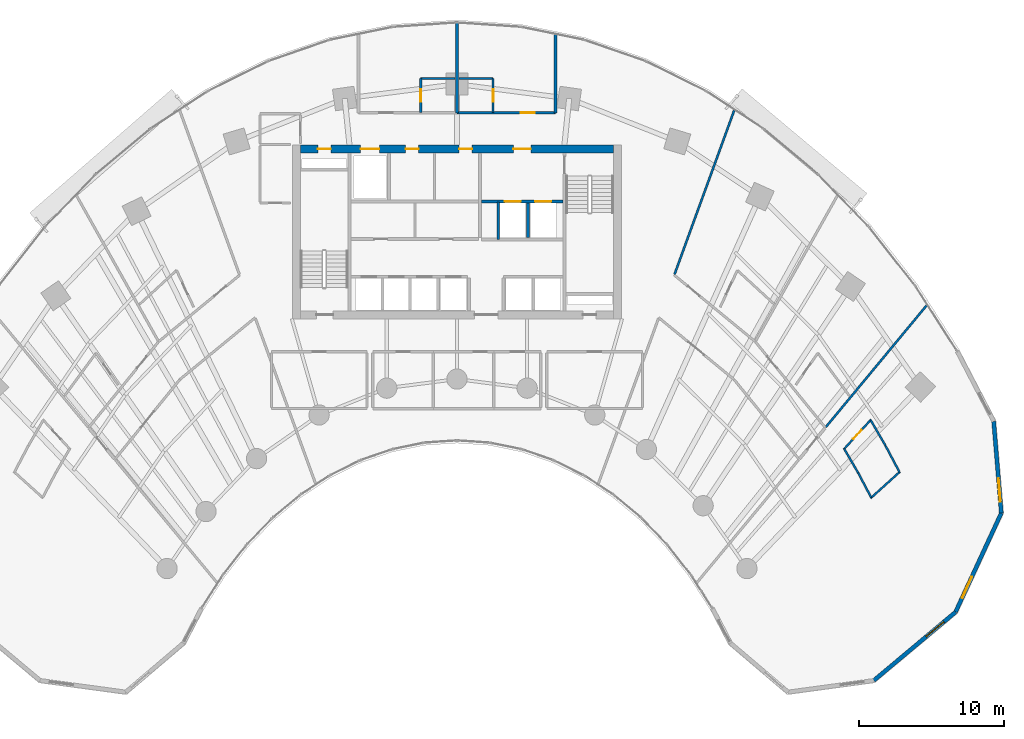
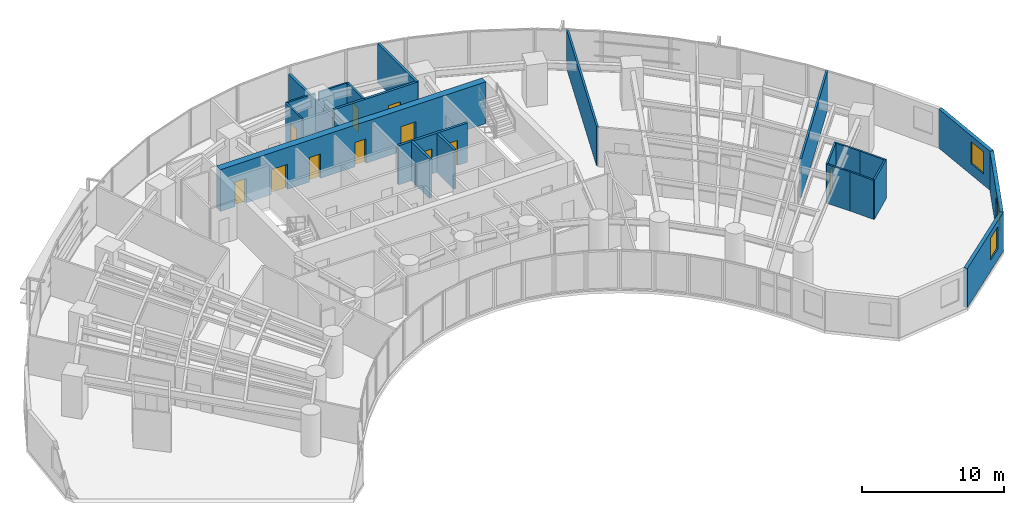
# One storey, part 14 of 17: 22 walls, 11 doors, 3 windows, 14 openings.
"""IFC4 building model written with IfcOpenShell, lengths in metres."""

from ifc_helpers import new_model, si_unit, direction, frame, frame_2d, origin, place, context, subcontext, project, spatial, rectangle, extrude, source, transform, mapped, material, layer, layer_set, type_object, type_shapes, element, fill, save


model = new_model("IFC4")

# Units and contexts
model_context = context("Model", 3, precision=1e-05, world=origin(), true_north=direction((0.0, 1.0)))
body_context = subcontext(model_context, "Body", "Model", "MODEL_VIEW")
ifc_project = project(units=[si_unit("LENGTHUNIT", "METRE"), si_unit("AREAUNIT", "SQUARE_METRE"), si_unit("VOLUMEUNIT", "CUBIC_METRE"), si_unit("PLANEANGLEUNIT", "RADIAN"), si_unit("MASSUNIT", "GRAM", prefix="KILO")], contexts=[model_context])

# Site, building, storey
site_placement = place(None, origin())
site = spatial("IfcSite", under=ifc_project, at=site_placement, CompositionType="ELEMENT")
building_placement = place(site_placement, origin())
building = spatial("IfcBuilding", under=site, at=building_placement, Name="Breltana Convention Tower", CompositionType="ELEMENT")
storey_placement = place(building_placement, frame((0.0, 0.0, 46.199951171875)))
storey = spatial("IfcBuildingStorey", under=building, at=storey_placement, Name="L09", CompositionType="ELEMENT", Elevation=46.199951171875)

# Wall, openings, doors
ifc_material_1 = material(Name="Concrete C60/75", Category="concrete")
ifc_layer_1 = layer(ifc_material_1, 0.550048828125, Name="Concrete C60/75")
ifc_layer_set_1 = layer_set([ifc_layer_1], Name="Concrete C60/75")
wall_type_1 = type_object("IfcWallType", Name="SW-CORE-550", PredefinedType="SHEAR", material=ifc_layer_set_1)
shared_shape_1 = source(origin(), body_context, "Body", "SweptSolid", [
    extrude(rectangle(XDim=21.60009765625, YDim=0.550048828125, at=frame_2d((10.800048828125, 0.0))), origin(), (0.0, 0.0, 1.0), 3.60009765625),
])
wall_1_placement = place(storey_placement, frame((37.199951171875, 71.925048828125, 0.0), z_axis=(0.0, 0.0, 1.0), x_axis=(1.0, 0.0, 0.0)))
wall_1 = element("IfcWall", 1, at=wall_1_placement, inside=storey, type_object=wall_type_1, Name="L09 North Core Shear Wall", PredefinedType="SHEAR", context=body_context, shape_type="MappedRepresentation", body=[
    mapped(shared_shape_1, transform((0.0, 0.0, 0.0), scale=1.0)),
])
opening_1_placement = place(wall_1_placement, frame((1.199951171875, 0.0, 0.0)))
opening_1 = element("IfcOpeningElement", 2, at=opening_1_placement, cuts=wall_1, Name="Opening D-18", PredefinedType="OPENING", context=body_context, shape_type="SweptSolid", body=[
    extrude(rectangle(XDim=0.89990234375, YDim=2.10009765625, at=frame_2d((0.449951171875, 1.050048828125))), frame((0.0, 0.28515625, 0.0), z_axis=(0.0, -1.0, 0.0), x_axis=(1.0, 0.0, 0.0)), (0.0, 0.0, 1.0), 0.570068359375),
])
opening_2_placement = place(wall_1_placement, frame((14.699951171875, 0.0, 0.0)))
opening_2 = element("IfcOpeningElement", 3, at=opening_2_placement, cuts=wall_1, Name="Opening D-09", PredefinedType="OPENING", context=body_context, shape_type="SweptSolid", body=[
    extrude(rectangle(XDim=1.199951171875, YDim=2.14990234375, at=frame_2d((0.60009765625, 1.074951171875))), frame((0.0, 0.28515625, 0.0), z_axis=(0.0, -1.0, 0.0), x_axis=(1.0, 0.0, 0.0)), (0.0, 0.0, 1.0), 0.570068359375),
])
opening_3_placement = place(wall_1_placement, frame((4.14990234375, 0.0, 0.0)))
opening_3 = element("IfcOpeningElement", 4, at=opening_3_placement, cuts=wall_1, Name="Opening LD-01", PredefinedType="OPENING", context=body_context, shape_type="SweptSolid", body=[
    extrude(rectangle(XDim=1.300048828125, YDim=2.14990234375, at=frame_2d((0.64990234375, 1.074951171875))), frame((0.0, 0.28515625, 0.0), z_axis=(0.0, -1.0, 0.0), x_axis=(1.0, 0.0, 0.0)), (0.0, 0.0, 1.0), 0.570068359375),
])
opening_4_placement = place(wall_1_placement, frame((7.25, 0.0, 0.0)))
opening_4 = element("IfcOpeningElement", 5, at=opening_4_placement, cuts=wall_1, Name="Opening D-18", PredefinedType="OPENING", context=body_context, shape_type="SweptSolid", body=[
    extrude(rectangle(XDim=0.89990234375, YDim=2.10009765625, at=frame_2d((0.449951171875, 1.050048828125))), frame((0.0, 0.28515625, 0.0), z_axis=(0.0, -1.0, 0.0), x_axis=(1.0, 0.0, 0.0)), (0.0, 0.0, 1.0), 0.570068359375),
])
opening_5_placement = place(wall_1_placement, frame((10.949951171875, 0.0, 0.0)))
opening_5 = element("IfcOpeningElement", 6, at=opening_5_placement, cuts=wall_1, Name="Opening D-18", PredefinedType="OPENING", context=body_context, shape_type="SweptSolid", body=[
    extrude(rectangle(XDim=0.89990234375, YDim=2.10009765625, at=frame_2d((0.449951171875, 1.050048828125))), frame((0.0, 0.28515625, 0.0), z_axis=(0.0, -1.0, 0.0), x_axis=(1.0, 0.0, 0.0)), (0.0, 0.0, 1.0), 0.570068359375),
])
ifc_material_2 = material(Name="Steel Riser Fire Door", Category="steel")
door_type_1 = type_object("IfcDoorType", Name="DR-FD60-900", OperationType="NOTDEFINED", PredefinedType="DOOR", material=ifc_material_2)
shared_shape_2 = source(origin(), body_context, "Body", "SweptSolid", [
    extrude(rectangle(XDim=0.89990234375, YDim=2.10009765625, at=frame_2d((0.449951171875, 1.050048828125))), frame((0.0, 0.02490234375, 0.0), z_axis=(0.0, -1.0, 0.0), x_axis=(1.0, 0.0, 0.0)), (0.0, 0.0, 1.0), 0.050048828125),
])
type_shapes(door_type_1, [shared_shape_2])
door_1_placement = place(opening_1_placement, origin())
door_1 = element("IfcDoor", 7, at=door_1_placement, inside=storey, type_object=door_type_1, Name="L09 Core Riser Access Door D-L09-RS1", OperationType="SINGLE_SWING_LEFT", OverallHeight=2.10009765625, OverallWidth=0.89990234375, PredefinedType="DOOR", context=body_context, shape_type="MappedRepresentation", body=[
    mapped(shared_shape_2, transform((0.0, 0.0, 0.0), scale=1.0)),
])
fill(opening_1, door_1)
door_2_placement = place(opening_4_placement, origin())
door_2 = element("IfcDoor", 8, at=door_2_placement, inside=storey, type_object=door_type_1, Name="L09 interior door D-L09-CRA1", OperationType="SINGLE_SWING_LEFT", OverallHeight=2.10009765625, OverallWidth=0.89990234375, PredefinedType="DOOR", context=body_context, shape_type="MappedRepresentation", body=[
    mapped(shared_shape_2, transform((0.0, 0.0, 0.0), scale=1.0)),
])
fill(opening_4, door_2)
door_3_placement = place(opening_5_placement, origin())
door_3 = element("IfcDoor", 9, at=door_3_placement, inside=storey, type_object=door_type_1, Name="L09 interior door D-L09-CRA2", OperationType="SINGLE_SWING_RIGHT", OverallHeight=2.10009765625, OverallWidth=0.89990234375, PredefinedType="DOOR", context=body_context, shape_type="MappedRepresentation", body=[
    mapped(shared_shape_2, transform((0.0, 0.0, 0.0), scale=1.0)),
])
fill(opening_5, door_3)
ifc_material_3 = material(Name="Steel Fire Lobby Door", Category="steel")
door_type_2 = type_object("IfcDoorType", Name="DR-FD120-1200", OperationType="NOTDEFINED", PredefinedType="DOOR", material=ifc_material_3)
shared_shape_3 = source(origin(), body_context, "Body", "SweptSolid", [
    extrude(rectangle(XDim=1.199951171875, YDim=2.14990234375, at=frame_2d((0.60009765625, 1.074951171875))), frame((0.0, 0.02490234375, 0.0), z_axis=(0.0, -1.0, 0.0), x_axis=(1.0, 0.0, 0.0)), (0.0, 0.0, 1.0), 0.050048828125),
])
type_shapes(door_type_2, [shared_shape_3])
door_4_placement = place(opening_2_placement, origin())
door_4 = element("IfcDoor", 10, at=door_4_placement, inside=storey, type_object=door_type_2, Name="L09 interior door D-L09-FFL-N", OperationType="SINGLE_SWING_RIGHT", OverallHeight=2.14990234375, OverallWidth=1.199951171875, PredefinedType="DOOR", context=body_context, shape_type="MappedRepresentation", body=[
    mapped(shared_shape_3, transform((0.0, 0.0, 0.0), scale=1.0)),
])
fill(opening_2, door_4)
ifc_material_4 = material(Name="Stainless Steel Brushed", Category="steel")
door_type_3 = type_object("IfcDoorType", Name="DR-LD-SRV-1300", OperationType="DOUBLE_DOOR_SLIDING", PredefinedType="DOOR", material=ifc_material_4)
shared_shape_4 = source(origin(), body_context, "Body", "SweptSolid", [
    extrude(rectangle(XDim=1.300048828125, YDim=2.14990234375, at=frame_2d((0.64990234375, 1.074951171875))), frame((0.0, 0.02490234375, 0.0), z_axis=(0.0, -1.0, 0.0), x_axis=(1.0, 0.0, 0.0)), (0.0, 0.0, 1.0), 0.050048828125),
])
type_shapes(door_type_3, [shared_shape_4])
door_5_placement = place(opening_3_placement, origin())
door_5 = element("IfcDoor", 11, at=door_5_placement, inside=storey, type_object=door_type_3, Name="L09 Lift Landing Door D-L09-LD-SV1", OperationType="DOUBLE_DOOR_SLIDING", OverallHeight=2.14990234375, OverallWidth=1.300048828125, PredefinedType="DOOR", context=body_context, shape_type="MappedRepresentation", body=[
    mapped(shared_shape_4, transform((0.0, 0.0, 0.0), scale=1.0)),
])
fill(opening_3, door_5)

# Wall, opening, window
ifc_material_5 = material(Name="Limestone Buff Insulated Wall", Category="masonry")
ifc_layer_2 = layer(ifc_material_5, 0.280029296875, Name="Limestone Buff Insulated Wall")
ifc_layer_set_2 = layer_set([ifc_layer_2], Name="Limestone Buff Insulated Wall")
wall_type_2 = type_object("IfcWallType", Name="WL-EXT-NOSE-280", PredefinedType="SOLIDWALL", material=ifc_layer_set_2)
shared_shape_5 = source(origin(), body_context, "Body", "SweptSolid", [
    extrude(rectangle(XDim=6.3525390625, YDim=0.280029296875, at=frame_2d((3.17626953125, 0.0))), origin(), (0.0, 0.0, 1.0), 3.360107421875),
])
wall_2_placement = place(storey_placement, frame((85.052978515625, 53.1220703125, 0.0), z_axis=(0.0, 0.0, 1.0), x_axis=(0.083319001377, -0.996522926986, 0.0)))
wall_2 = element("IfcWall", 12, at=wall_2_placement, inside=storey, type_object=wall_type_2, Name="L09 curved limestone nose wall E1", PredefinedType="SOLIDWALL", context=body_context, shape_type="MappedRepresentation", body=[
    mapped(shared_shape_5, transform((0.0, 0.0, 0.0), scale=1.0)),
])
opening_6_placement = place(wall_2_placement, frame((3.96435546875, 0.0, 0.949951171875)))
opening_6 = element("IfcOpeningElement", 13, at=opening_6_placement, cuts=wall_2, Name="Opening W-04", PredefinedType="OPENING", context=body_context, shape_type="SweptSolid", body=[
    extrude(rectangle(XDim=1.60009765625, YDim=1.89990234375, at=frame_2d((0.800048828125, 0.949951171875))), frame((0.0, 0.14990234375, 0.0), z_axis=(0.0, -1.0, 0.0), x_axis=(1.0, 0.0, 0.0)), (0.0, 0.0, 1.0), 0.300048828125),
])
ifc_material_6 = material(Name="Glass Low-E Insulated Window", Category="glass")
window_type = type_object("IfcWindowType", Name="WN-NOSE-1600X1900", PartitioningType="SINGLE_PANEL", PredefinedType="WINDOW", material=ifc_material_6)
shared_shape_6 = source(origin(), body_context, "Body", "SweptSolid", [
    extrude(rectangle(XDim=1.60009765625, YDim=1.89990234375, at=frame_2d((0.800048828125, 0.949951171875))), frame((0.0, 0.030029296875, 0.0), z_axis=(0.0, -1.0, 0.0), x_axis=(1.0, 0.0, 0.0)), (0.0, 0.0, 1.0), 0.06005859375),
])
type_shapes(window_type, [shared_shape_6])
window_1_placement = place(opening_6_placement, origin())
window_1 = element("IfcWindow", 14, at=window_1_placement, inside=storey, type_object=window_type, Name="L09 nose window E1", OverallHeight=1.89990234375, OverallWidth=1.60009765625, PartitioningType="SINGLE_PANEL", PredefinedType="WINDOW", context=body_context, shape_type="MappedRepresentation", body=[
    mapped(shared_shape_6, transform((0.0, 0.0, 0.0), scale=1.0)),
])
fill(opening_6, window_1)

shared_shape_7 = source(origin(), body_context, "Body", "SweptSolid", [
    extrude(rectangle(XDim=7.536376953125, YDim=0.280029296875, at=frame_2d((3.76806640625, 0.0))), origin(), (0.0, 0.0, 1.0), 3.360107421875),
])
wall_3_placement = place(storey_placement, frame((85.582275390625, 46.79150390625, 0.0), z_axis=(0.0, 0.0, 1.0), x_axis=(-0.41964973873, -0.907686122393, 0.0)))
wall_3 = element("IfcWall", 15, at=wall_3_placement, inside=storey, type_object=wall_type_2, Name="L09 curved limestone nose wall E2", PredefinedType="SOLIDWALL", context=body_context, shape_type="MappedRepresentation", body=[
    mapped(shared_shape_7, transform((0.0, 0.0, 0.0), scale=1.0)),
])
opening_7_placement = place(wall_3_placement, frame((4.852294921875, 0.0, 0.949951171875)))
opening_7 = element("IfcOpeningElement", 16, at=opening_7_placement, cuts=wall_3, Name="Opening W-04", PredefinedType="OPENING", context=body_context, shape_type="SweptSolid", body=[
    extrude(rectangle(XDim=1.60009765625, YDim=1.89990234375, at=frame_2d((0.800048828125, 0.949951171875))), frame((0.0, 0.14990234375, 0.0), z_axis=(0.0, -1.0, 0.0), x_axis=(1.0, 0.0, 0.0)), (0.0, 0.0, 1.0), 0.300048828125),
])
window_2_placement = place(opening_7_placement, origin())
window_2 = element("IfcWindow", 17, at=window_2_placement, inside=storey, type_object=window_type, Name="L09 nose window E2", OverallHeight=1.89990234375, OverallWidth=1.60009765625, PartitioningType="SINGLE_PANEL", PredefinedType="WINDOW", context=body_context, shape_type="MappedRepresentation", body=[
    mapped(shared_shape_6, transform((0.0, 0.0, 0.0), scale=1.0)),
])
fill(opening_7, window_2)

shared_shape_8 = source(origin(), body_context, "Body", "SweptSolid", [
    extrude(rectangle(XDim=7.35888671875, YDim=0.280029296875, at=frame_2d((3.679443359375, 0.0))), origin(), (0.0, 0.0, 1.0), 3.360107421875),
])
wall_4_placement = place(storey_placement, frame((82.419677734375, 39.950927734375, 0.0), z_axis=(0.0, 0.0, 1.0), x_axis=(-0.766737165543, -0.641961150675, 0.0)))
wall_4 = element("IfcWall", 18, at=wall_4_placement, inside=storey, type_object=wall_type_2, Name="L09 curved limestone nose wall E3", PredefinedType="SOLIDWALL", context=body_context, shape_type="MappedRepresentation", body=[
    mapped(shared_shape_8, transform((0.0, 0.0, 0.0), scale=1.0)),
])
opening_8_placement = place(wall_4_placement, frame((1.039794921875, 0.0, 0.949951171875)))
opening_8 = element("IfcOpeningElement", 19, at=opening_8_placement, cuts=wall_4, Name="Opening W-04", PredefinedType="OPENING", context=body_context, shape_type="SweptSolid", body=[
    extrude(rectangle(XDim=1.60009765625, YDim=1.89990234375, at=frame_2d((0.800048828125, 0.949951171875))), frame((0.0, 0.14990234375, 0.0), z_axis=(0.0, -1.0, 0.0), x_axis=(1.0, 0.0, 0.0)), (0.0, 0.0, 1.0), 0.300048828125),
])
window_3_placement = place(opening_8_placement, origin())
window_3 = element("IfcWindow", 20, at=window_3_placement, inside=storey, type_object=window_type, Name="L09 nose window E3", OverallHeight=1.89990234375, OverallWidth=1.60009765625, PartitioningType="SINGLE_PANEL", PredefinedType="WINDOW", context=body_context, shape_type="MappedRepresentation", body=[
    mapped(shared_shape_6, transform((0.0, 0.0, 0.0), scale=1.0)),
])
fill(opening_8, window_3)

# Wall, openings, doors
ifc_material_7 = material(Name="Autoclaved Aerated Concrete Block", Category="concrete")
ifc_layer_3 = layer(ifc_material_7, 0.199951171875, Name="Autoclaved Aerated Concrete Block")
ifc_layer_set_3 = layer_set([ifc_layer_3], Name="Autoclaved Aerated Concrete Block")
wall_type_3 = type_object("IfcWallType", Name="WL-SHAFT-200", PredefinedType="SOLIDWALL", material=ifc_layer_set_3)
shared_shape_9 = source(origin(), body_context, "Body", "SweptSolid", [
    extrude(rectangle(XDim=5.6201171875, YDim=0.199951171875, at=frame_2d((2.81005859375, 0.0))), origin(), (0.0, 0.0, 1.0), 3.360107421875),
])
wall_5_placement = place(storey_placement, frame((49.699951171875, 68.300048828125, 0.0), z_axis=(0.0, 0.0, 1.0), x_axis=(1.0, 0.0, 0.0)))
wall_5 = element("IfcWall", 21, at=wall_5_placement, inside=storey, type_object=wall_type_3, Name="L09 interior partition W-L09-FFL-S", PredefinedType="SOLIDWALL", context=body_context, shape_type="MappedRepresentation", body=[
    mapped(shared_shape_9, transform((0.0, 0.0, 0.0), scale=1.0)),
])
opening_9_placement = place(wall_5_placement, frame((1.60009765625, 0.0, 0.0)))
opening_9 = element("IfcOpeningElement", 22, at=opening_9_placement, cuts=wall_5, Name="Opening LD-03", PredefinedType="OPENING", context=body_context, shape_type="SweptSolid", body=[
    extrude(rectangle(XDim=1.10009765625, YDim=2.14990234375, at=frame_2d((0.550048828125, 1.074951171875))), frame((0.0, 0.10986328125, 0.0), z_axis=(0.0, -1.0, 0.0), x_axis=(1.0, 0.0, 0.0)), (0.0, 0.0, 1.0), 0.219970703125),
])
opening_10_placement = place(wall_5_placement, frame((3.699951171875, 0.0, 0.0)))
opening_10 = element("IfcOpeningElement", 23, at=opening_10_placement, cuts=wall_5, Name="Opening LD-03", PredefinedType="OPENING", context=body_context, shape_type="SweptSolid", body=[
    extrude(rectangle(XDim=1.10009765625, YDim=2.14990234375, at=frame_2d((0.550048828125, 1.074951171875))), frame((0.0, 0.10986328125, 0.0), z_axis=(0.0, -1.0, 0.0), x_axis=(1.0, 0.0, 0.0)), (0.0, 0.0, 1.0), 0.219970703125),
])
door_type_4 = type_object("IfcDoorType", Name="DR-LD-FF-1100", OperationType="DOUBLE_DOOR_SLIDING", PredefinedType="DOOR", material=ifc_material_4)
shared_shape_10 = source(origin(), body_context, "Body", "SweptSolid", [
    extrude(rectangle(XDim=1.10009765625, YDim=2.14990234375, at=frame_2d((0.550048828125, 1.074951171875))), frame((0.0, 0.02490234375, 0.0), z_axis=(0.0, -1.0, 0.0), x_axis=(1.0, 0.0, 0.0)), (0.0, 0.0, 1.0), 0.050048828125),
])
type_shapes(door_type_4, [shared_shape_10])
door_6_placement = place(opening_9_placement, origin())
door_6 = element("IfcDoor", 24, at=door_6_placement, inside=storey, type_object=door_type_4, Name="L09 Lift Landing Door D-L09-LD-FL1", OperationType="DOUBLE_DOOR_SLIDING", OverallHeight=2.14990234375, OverallWidth=1.10009765625, PredefinedType="DOOR", context=body_context, shape_type="MappedRepresentation", body=[
    mapped(shared_shape_10, transform((0.0, 0.0, 0.0), scale=1.0)),
])
fill(opening_9, door_6)
door_7_placement = place(opening_10_placement, origin())
door_7 = element("IfcDoor", 25, at=door_7_placement, inside=storey, type_object=door_type_4, Name="L09 Lift Landing Door D-L09-LD-FL2", OperationType="DOUBLE_DOOR_SLIDING", OverallHeight=2.14990234375, OverallWidth=1.10009765625, PredefinedType="DOOR", context=body_context, shape_type="MappedRepresentation", body=[
    mapped(shared_shape_10, transform((0.0, 0.0, 0.0), scale=1.0)),
])
fill(opening_10, door_7)

# Walls
shared_shape_11 = source(origin(), body_context, "Body", "SweptSolid", [
    extrude(rectangle(XDim=2.580078125, YDim=0.199951171875, at=frame_2d((1.2900390625, 0.0))), origin(), (0.0, 0.0, 1.0), 3.360107421875),
])
wall_6_placement = place(storey_placement, frame((50.85009765625, 65.679931640625, 0.0), z_axis=(0.0, 0.0, 1.0), x_axis=(0.0, 1.0, 0.0)))
element("IfcWall", 26, at=wall_6_placement, inside=storey, type_object=wall_type_3, Name="L09 interior partition W-L09-FL-W", PredefinedType="SOLIDWALL", context=body_context, shape_type="MappedRepresentation", body=[
    mapped(shared_shape_11, transform((0.0, 0.0, 0.0), scale=1.0)),
])
shared_shape_12 = source(origin(), body_context, "Body", "SweptSolid", [
    extrude(rectangle(XDim=2.39990234375, YDim=0.199951171875, at=frame_2d((1.199951171875, 0.0))), origin(), (0.0, 0.0, 1.0), 3.360107421875),
])
wall_7_placement = place(storey_placement, frame((52.89990234375, 65.800048828125, 0.0), z_axis=(0.0, 0.0, 1.0), x_axis=(0.0, 1.0, 0.0)))
element("IfcWall", 27, at=wall_7_placement, inside=storey, type_object=wall_type_3, Name="L09 interior partition W-L09-FL-DIV", PredefinedType="SOLIDWALL", context=body_context, shape_type="MappedRepresentation", body=[
    mapped(shared_shape_12, transform((0.0, 0.0, 0.0), scale=1.0)),
])

# Wall, opening, door
ifc_material_8 = material(Name="Gypsum Acoustic Hotel Wall")
ifc_layer_4 = layer(ifc_material_8, 0.195068359375, Name="Gypsum Acoustic Hotel Wall")
ifc_layer_set_4 = layer_set([ifc_layer_4], Name="Gypsum Acoustic Hotel Wall")
wall_type_4 = type_object("IfcWallType", Name="WL-HOTEL-200", PredefinedType="PARTITIONING", material=ifc_layer_set_4)
shared_shape_13 = source(origin(), body_context, "Body", "SweptSolid", [
    extrude(rectangle(XDim=6.800048828125, YDim=0.195068359375, at=frame_2d((3.39990234375, 0.0))), origin(), (0.0, 0.0, 1.0), 3.360107421875),
])
type_shapes(wall_type_4, [shared_shape_13])
wall_8_placement = place(storey_placement, frame((48.0, 74.419921875, 0.0), z_axis=(0.0, 0.0, 1.0), x_axis=(1.0, 0.0, 0.0)))
wall_8 = element("IfcWall", 28, at=wall_8_placement, inside=storey, type_object=wall_type_4, Name="L09 interior partition W-L09-GRN2-S", PredefinedType="PARTITIONING", context=body_context, shape_type="MappedRepresentation", body=[
    mapped(shared_shape_13, transform((0.0, 0.0, 0.0), scale=1.0)),
])
opening_11_placement = place(wall_8_placement, frame((4.4208984375, 0.0, 0.0)))
opening_11 = element("IfcOpeningElement", 29, at=opening_11_placement, cuts=wall_8, Name="Opening D-14", PredefinedType="OPENING", context=body_context, shape_type="SweptSolid", body=[
    extrude(rectangle(XDim=0.949951171875, YDim=2.14990234375, at=frame_2d((0.47509765625, 1.074951171875))), frame((0.0, 0.107421875, 0.0), z_axis=(0.0, -1.0, 0.0), x_axis=(1.0, 0.0, 0.0)), (0.0, 0.0, 1.0), 0.215087890625),
])
ifc_material_9 = material(Name="Timber Solid-Core Fire Door", Category="wood")
door_type_5 = type_object("IfcDoorType", Name="DR-FD60-950", OperationType="NOTDEFINED", PredefinedType="DOOR", material=ifc_material_9)
shared_shape_14 = source(origin(), body_context, "Body", "SweptSolid", [
    extrude(rectangle(XDim=0.949951171875, YDim=2.14990234375, at=frame_2d((0.47509765625, 1.074951171875))), frame((0.0, 0.02490234375, 0.0), z_axis=(0.0, -1.0, 0.0), x_axis=(1.0, 0.0, 0.0)), (0.0, 0.0, 1.0), 0.050048828125),
])
type_shapes(door_type_5, [shared_shape_14])
door_8_placement = place(opening_11_placement, origin())
door_8 = element("IfcDoor", 30, at=door_8_placement, inside=storey, type_object=door_type_5, Name="L09 interior door D-L09-GRN2", OperationType="SINGLE_SWING_RIGHT", OverallHeight=2.14990234375, OverallWidth=0.949951171875, PredefinedType="DOOR", context=body_context, shape_type="MappedRepresentation", body=[
    mapped(shared_shape_14, transform((0.0, 0.0, 0.0), scale=1.0)),
])
fill(opening_11, door_8)

# Walls
shared_shape_15 = source(origin(), body_context, "Body", "SweptSolid", [
    extrude(rectangle(XDim=6.215576171875, YDim=0.195068359375, at=frame_2d((3.10791015625, 0.0))), origin(), (0.0, 0.0, 1.0), 2.64404296875),
])
wall_9_placement = place(storey_placement, frame((48.0, 74.419921875, 0.0), z_axis=(0.0, 0.0, 1.0), x_axis=(0.0, 1.0, 0.0)))
element("IfcWall", 31, at=wall_9_placement, inside=storey, type_object=wall_type_4, Name="L09 interior partition W-L09-GRN-MID", PredefinedType="PARTITIONING", context=body_context, shape_type="MappedRepresentation", body=[
    mapped(shared_shape_15, transform((0.0, 0.0, 0.0), scale=1.0)),
])
shared_shape_16 = source(origin(), body_context, "Body", "SweptSolid", [
    extrude(rectangle(XDim=5.42626953125, YDim=0.195068359375, at=frame_2d((2.713134765625, 0.0))), origin(), (0.0, 0.0, 1.0), 3.360107421875),
])
wall_10_placement = place(storey_placement, frame((54.800048828125, 74.419921875, 0.0), z_axis=(0.0, 0.0, 1.0), x_axis=(0.0, 1.0, 0.0)))
element("IfcWall", 32, at=wall_10_placement, inside=storey, type_object=wall_type_4, Name="L09 interior partition W-L09-GRN2-SD", PredefinedType="PARTITIONING", context=body_context, shape_type="MappedRepresentation", body=[
    mapped(shared_shape_16, transform((0.0, 0.0, 0.0), scale=1.0)),
])
ifc_material_10 = material(Name="Moisture-Resistant En-Suite Partition")
ifc_layer_5 = layer(ifc_material_10, 0.139892578125, Name="Moisture-Resistant En-Suite Partition")
ifc_layer_set_5 = layer_set([ifc_layer_5], Name="Moisture-Resistant En-Suite Partition")
wall_type_5 = type_object("IfcWallType", Name="WL-WET-150", PredefinedType="PARTITIONING", material=ifc_layer_set_5)
shared_shape_17 = source(origin(), body_context, "Body", "SweptSolid", [
    extrude(rectangle(XDim=2.35009765625, YDim=0.139892578125, at=frame_2d((1.175048828125, 0.0))), origin(), (0.0, 0.0, 1.0), 3.360107421875),
])
type_shapes(wall_type_5, [shared_shape_17])
for number, where, z_axis, x_axis, name in (
    (33, (45.5, 76.780029296875, 0.0), (0.0, 0.0, 1.0), (1.0, 0.0, 0.0), "L09 interior partition W-L09-ENSN1-N"),
    (34, (48.14990234375, 76.780029296875, 0.0), (0.0, 0.0, 1.0), (1.0, 0.0, 0.0), "L09 interior partition W-L09-ENSN2-N"),
):
    element("IfcWall", number, at=place(storey_placement, frame(where, z_axis=z_axis, x_axis=x_axis)), inside=storey, type_object=wall_type_5, Name=name, PredefinedType="PARTITIONING", context=body_context, shape_type="MappedRepresentation", body=[
        mapped(shared_shape_17, transform((0.0, 0.0, 0.0), scale=1.0)),
    ])

# Wall, opening, door
shared_shape_18 = source(origin(), body_context, "Body", "SweptSolid", [
    extrude(rectangle(XDim=2.330078125, YDim=0.139892578125, at=frame_2d((1.1650390625, 0.0))), origin(), (0.0, 0.0, 1.0), 3.360107421875),
])
wall_11_placement = place(storey_placement, frame((45.5, 74.449951171875, 0.0), z_axis=(0.0, 0.0, 1.0), x_axis=(0.0, 1.0, 0.0)))
wall_11 = element("IfcWall", 35, at=wall_11_placement, inside=storey, type_object=wall_type_5, Name="L09 interior partition W-L09-ENSN1-SD", PredefinedType="PARTITIONING", context=body_context, shape_type="MappedRepresentation", body=[
    mapped(shared_shape_18, transform((0.0, 0.0, 0.0), scale=1.0)),
])
opening_12_placement = place(wall_11_placement, frame((0.739990234375, 0.0, 0.0)))
opening_12 = element("IfcOpeningElement", 36, at=opening_12_placement, cuts=wall_11, Name="Opening D-21", PredefinedType="OPENING", context=body_context, shape_type="SweptSolid", body=[
    extrude(rectangle(XDim=0.85009765625, YDim=2.050048828125, at=frame_2d((0.425048828125, 1.02490234375))), frame((0.0, 0.080078125, 0.0), z_axis=(0.0, -1.0, 0.0), x_axis=(1.0, 0.0, 0.0)), (0.0, 0.0, 1.0), 0.159912109375),
])
ifc_material_11 = material(Name="Timber Moisture-Resistant En-Suite Door", Category="wood")
door_type_6 = type_object("IfcDoorType", Name="DR-WET-850", OperationType="NOTDEFINED", PredefinedType="DOOR", material=ifc_material_11)
shared_shape_19 = source(origin(), body_context, "Body", "SweptSolid", [
    extrude(rectangle(XDim=0.85009765625, YDim=2.050048828125, at=frame_2d((0.425048828125, 1.02490234375))), frame((0.0, 0.02490234375, 0.0), z_axis=(0.0, -1.0, 0.0), x_axis=(1.0, 0.0, 0.0)), (0.0, 0.0, 1.0), 0.050048828125),
])
type_shapes(door_type_6, [shared_shape_19])
door_9_placement = place(opening_12_placement, origin())
door_9 = element("IfcDoor", 37, at=door_9_placement, inside=storey, type_object=door_type_6, Name="L09 interior door D-L09-ENSN1", OperationType="SINGLE_SWING_LEFT", OverallHeight=2.050048828125, OverallWidth=0.85009765625, PredefinedType="DOOR", context=body_context, shape_type="MappedRepresentation", body=[
    mapped(shared_shape_19, transform((0.0, 0.0, 0.0), scale=1.0)),
])
fill(opening_12, door_9)

wall_12_placement = place(storey_placement, frame((50.5, 74.449951171875, 0.0), z_axis=(0.0, 0.0, 1.0), x_axis=(0.0, 1.0, 0.0)))
wall_12 = element("IfcWall", 38, at=wall_12_placement, inside=storey, type_object=wall_type_5, Name="L09 interior partition W-L09-ENSN2-SD", PredefinedType="PARTITIONING", context=body_context, shape_type="MappedRepresentation", body=[
    mapped(shared_shape_18, transform((0.0, 0.0, 0.0), scale=1.0)),
])
opening_13_placement = place(wall_12_placement, frame((0.739990234375, 0.0, 0.0)))
opening_13 = element("IfcOpeningElement", 39, at=opening_13_placement, cuts=wall_12, Name="Opening D-21", PredefinedType="OPENING", context=body_context, shape_type="SweptSolid", body=[
    extrude(rectangle(XDim=0.85009765625, YDim=2.050048828125, at=frame_2d((0.425048828125, 1.02490234375))), frame((0.0, 0.080078125, 0.0), z_axis=(0.0, -1.0, 0.0), x_axis=(1.0, 0.0, 0.0)), (0.0, 0.0, 1.0), 0.159912109375),
])
door_10_placement = place(opening_13_placement, origin())
door_10 = element("IfcDoor", 40, at=door_10_placement, inside=storey, type_object=door_type_6, Name="L09 interior door D-L09-ENSN2", OperationType="SINGLE_SWING_LEFT", OverallHeight=2.050048828125, OverallWidth=0.85009765625, PredefinedType="DOOR", context=body_context, shape_type="MappedRepresentation", body=[
    mapped(shared_shape_19, transform((0.0, 0.0, 0.0), scale=1.0)),
])
fill(opening_13, door_10)

shared_shape_20 = source(origin(), body_context, "Body", "SweptSolid", [
    extrude(rectangle(XDim=2.812255859375, YDim=0.139892578125, at=frame_2d((1.40625, 0.0))), origin(), (0.0, 0.0, 1.0), 3.360107421875),
])
wall_13_placement = place(storey_placement, frame((74.69677734375, 51.176513671875, 0.0), z_axis=(0.0, 0.0, 1.0), x_axis=(0.675119025852, 0.737708818527, 0.0)))
wall_13 = element("IfcWall", 41, at=wall_13_placement, inside=storey, type_object=wall_type_5, Name="L09 interior partition W-L09-CSENS-E-W", PredefinedType="PARTITIONING", context=body_context, shape_type="MappedRepresentation", body=[
    mapped(shared_shape_20, transform((0.0, 0.0, 0.0), scale=1.0)),
])
opening_14_placement = place(wall_13_placement, frame((0.981201171875, 0.0, 0.0)))
opening_14 = element("IfcOpeningElement", 42, at=opening_14_placement, cuts=wall_13, Name="Opening D-21", PredefinedType="OPENING", context=body_context, shape_type="SweptSolid", body=[
    extrude(rectangle(XDim=0.85009765625, YDim=2.050048828125, at=frame_2d((0.425048828125, 1.02490234375))), frame((0.0, 0.080078125, 0.0), z_axis=(0.0, -1.0, 0.0), x_axis=(1.0, 0.0, 0.0)), (0.0, 0.0, 1.0), 0.159912109375),
])
door_11_placement = place(opening_14_placement, origin())
door_11 = element("IfcDoor", 43, at=door_11_placement, inside=storey, type_object=door_type_6, Name="L09 interior door D-L09-CSENS-E", OperationType="SINGLE_SWING_LEFT", OverallHeight=2.050048828125, OverallWidth=0.85009765625, PredefinedType="DOOR", context=body_context, shape_type="MappedRepresentation", body=[
    mapped(shared_shape_19, transform((0.0, 0.0, 0.0), scale=1.0)),
])
fill(opening_14, door_11)

# Walls
shared_shape_21 = source(origin(), body_context, "Body", "SweptSolid", [
    extrude(rectangle(XDim=2.738037109375, YDim=0.139892578125, at=frame_2d((1.369140625, 0.0))), origin(), (0.0, 0.0, 1.0), 3.360107421875),
])
wall_14_placement = place(storey_placement, frame((76.560302734375, 47.81396484375, 0.0), z_axis=(0.0, 0.0, 1.0), x_axis=(0.741873676582, 0.670539669218, 0.0)))
element("IfcWall", 44, at=wall_14_placement, inside=storey, type_object=wall_type_5, Name="L09 interior partition W-L09-CSENS-E-F", PredefinedType="PARTITIONING", context=body_context, shape_type="MappedRepresentation", body=[
    mapped(shared_shape_21, transform((0.0, 0.0, 0.0), scale=1.0)),
])
shared_shape_22 = source(origin(), body_context, "Body", "SweptSolid", [
    extrude(rectangle(XDim=1.936279296875, YDim=0.139892578125, at=frame_2d((0.96826171875, 0.0))), origin(), (0.0, 0.0, 1.0), 3.360107421875),
])
wall_15_placement = place(storey_placement, frame((75.697265625, 49.5634765625, 0.0), z_axis=(0.0, 0.0, 1.0), x_axis=(0.467174971862, -0.884164886017, 0.0)))
element("IfcWall", 45, at=wall_15_placement, inside=storey, type_object=wall_type_5, Name="L09 interior partition W-L09-CSENS-E-B1B", PredefinedType="PARTITIONING", context=body_context, shape_type="MappedRepresentation", body=[
    mapped(shared_shape_22, transform((0.0, 0.0, 0.0), scale=1.0)),
])
shared_shape_23 = source(origin(), body_context, "Body", "SweptSolid", [
    extrude(rectangle(XDim=2.068115234375, YDim=0.139892578125, at=frame_2d((1.0341796875, 0.0))), origin(), (0.0, 0.0, 1.0), 3.360107421875),
])
wall_16_placement = place(storey_placement, frame((77.583740234375, 51.44091796875, 0.0), z_axis=(0.0, 0.0, 1.0), x_axis=(0.467215057643, -0.884143704333, 0.0)))
element("IfcWall", 46, at=wall_16_placement, inside=storey, type_object=wall_type_5, Name="L09 interior partition W-L09-CSENS-E-B2B", PredefinedType="PARTITIONING", context=body_context, shape_type="MappedRepresentation", body=[
    mapped(shared_shape_23, transform((0.0, 0.0, 0.0), scale=1.0)),
])
shared_shape_24 = source(origin(), body_context, "Body", "SweptSolid", [
    extrude(rectangle(XDim=1.914306640625, YDim=0.139892578125, at=frame_2d((0.95703125, 0.0))), origin(), (0.0, 0.0, 1.0), 3.360107421875),
])
wall_17_placement = place(storey_placement, frame((74.735595703125, 51.21875, 0.0), z_axis=(0.0, 0.0, 1.0), x_axis=(0.502347790612, -0.864665656347, 0.0)))
element("IfcWall", 47, at=wall_17_placement, inside=storey, type_object=wall_type_5, Name="L09 interior partition W-L09-CSENS-E-B1A", PredefinedType="PARTITIONING", context=body_context, shape_type="MappedRepresentation", body=[
    mapped(shared_shape_24, transform((0.0, 0.0, 0.0), scale=1.0)),
])
shared_shape_25 = source(origin(), body_context, "Body", "SweptSolid", [
    extrude(rectangle(XDim=2.044677734375, YDim=0.139892578125, at=frame_2d((1.0224609375, 0.0))), origin(), (0.0, 0.0, 1.0), 3.360107421875),
])
wall_18_placement = place(storey_placement, frame((76.556640625, 53.208984375, 0.0), z_axis=(0.0, 0.0, 1.0), x_axis=(0.5023112139, -0.864686905411, 0.0)))
element("IfcWall", 48, at=wall_18_placement, inside=storey, type_object=wall_type_5, Name="L09 interior partition W-L09-CSENS-E-B2A", PredefinedType="PARTITIONING", context=body_context, shape_type="MappedRepresentation", body=[
    mapped(shared_shape_25, transform((0.0, 0.0, 0.0), scale=1.0)),
])
ifc_material_12 = material(Name="Gypsum Acoustic Drywall Partition")
ifc_layer_6 = layer(ifc_material_12, 0.14990234375, Name="Gypsum Acoustic Drywall Partition")
ifc_layer_set_6 = layer_set([ifc_layer_6], Name="Gypsum Acoustic Drywall Partition")
wall_type_6 = type_object("IfcWallType", Name="WL-PART-150", PredefinedType="PARTITIONING", material=ifc_layer_set_6)
shared_shape_26 = source(origin(), body_context, "Body", "SweptSolid", [
    extrude(rectangle(XDim=10.974609375, YDim=0.14990234375, at=frame_2d((5.4873046875, 0.0))), origin(), (0.0, 0.0, 1.0), 3.360107421875),
])
wall_19_placement = place(storey_placement, frame((73.460205078125, 52.71875, 0.0), z_axis=(0.0, 0.0, 1.0), x_axis=(0.638125265812, 0.769932558821, 0.0)))
element("IfcWall", 49, at=wall_19_placement, inside=storey, type_object=wall_type_6, Name="L09 interior partition W-L09-HS04-RB", PredefinedType="PARTITIONING", context=body_context, shape_type="MappedRepresentation", body=[
    mapped(shared_shape_26, transform((0.0, 0.0, 0.0), scale=1.0)),
])
shared_shape_27 = source(origin(), body_context, "Body", "SweptSolid", [
    extrude(rectangle(XDim=12.088134765625, YDim=0.14990234375, at=frame_2d((6.0439453125, 0.0))), origin(), (0.0, 0.0, 1.0), 3.360107421875),
])
wall_20_placement = place(storey_placement, frame((63.0185546875, 63.26220703125, 0.0), z_axis=(0.0, 0.0, 1.0), x_axis=(0.34203007529, 0.939689005787, 0.0)))
element("IfcWall", 50, at=wall_20_placement, inside=storey, type_object=wall_type_6, Name="L09 interior partition W-L09-HS03-RA", PredefinedType="PARTITIONING", context=body_context, shape_type="MappedRepresentation", body=[
    mapped(shared_shape_27, transform((0.0, 0.0, 0.0), scale=1.0)),
])

save(model, "model.ifc")
